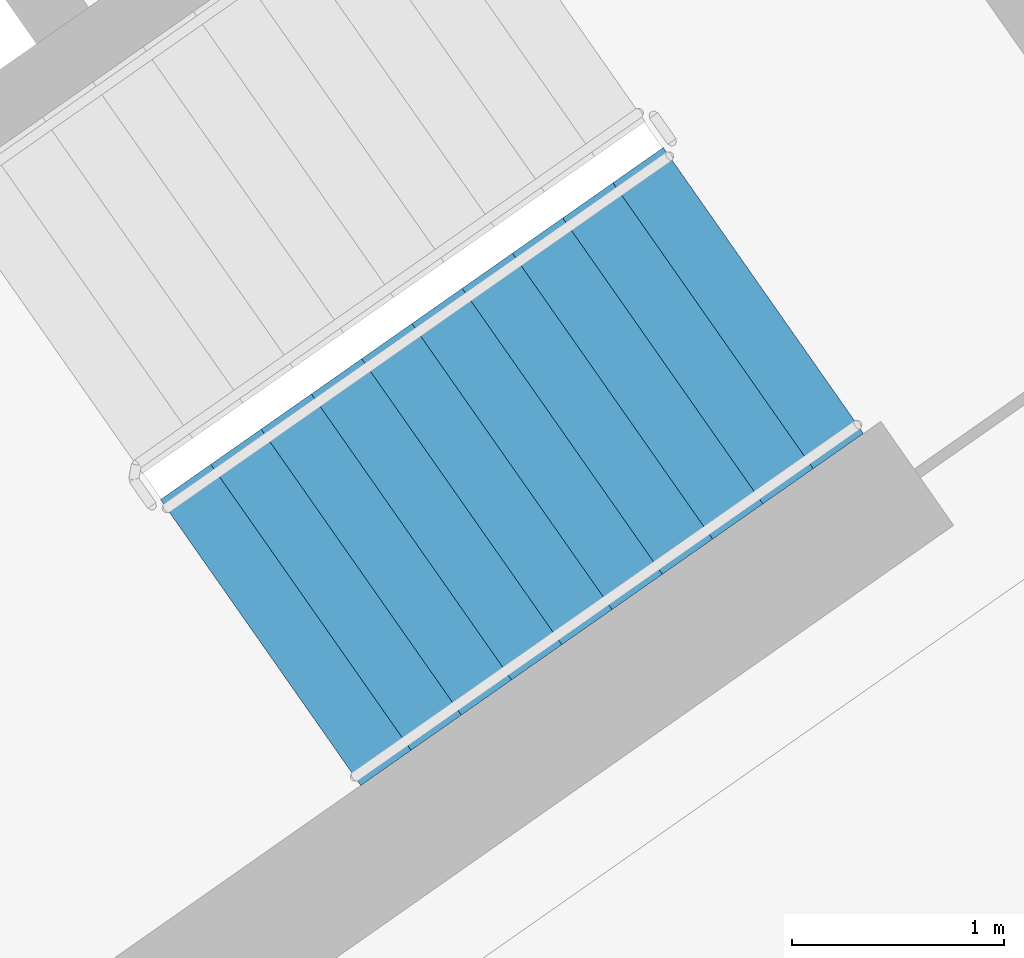
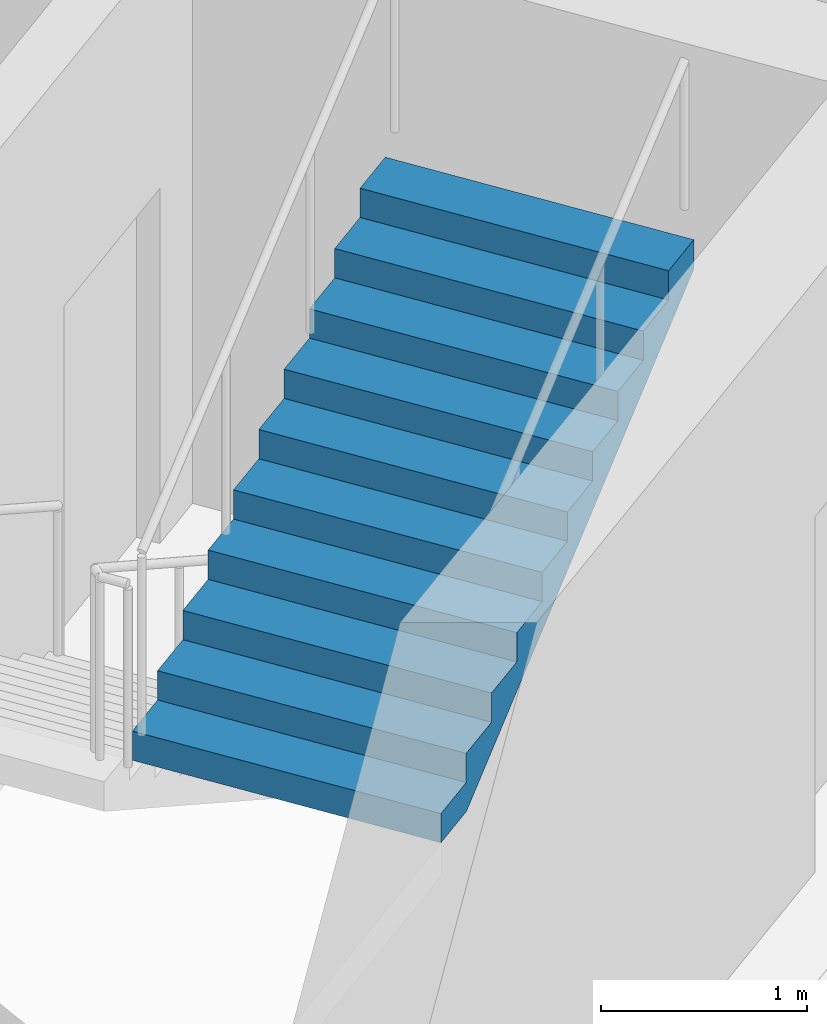
# One storey, part 13 of 27: 1 stair flight, 1 element without a shape of its own.
"""IFC4 building model written with IfcOpenShell, lengths in metres."""

from ifc_helpers import new_model, si_unit, direction, frame, origin, place, context, subcontext, project, spatial, faceted_brep, material, type_object, element, aggregate, save


model = new_model("IFC4")

# Units and contexts
model_context = context("Model", 3, precision=1e-05, world=origin(), true_north=direction((0.0, 1.0)))
body_context = subcontext(model_context, "Body", "Model", "MODEL_VIEW")
ifc_project = project(units=[si_unit("LENGTHUNIT", "METRE"), si_unit("AREAUNIT", "SQUARE_METRE"), si_unit("VOLUMEUNIT", "CUBIC_METRE"), si_unit("PLANEANGLEUNIT", "RADIAN"), si_unit("MASSUNIT", "GRAM", prefix="KILO")], contexts=[model_context])

# Site, building, storey
site_placement = place(None, origin())
site = spatial("IfcSite", under=ifc_project, at=site_placement, CompositionType="ELEMENT")
building_placement = place(site_placement, origin())
building = spatial("IfcBuilding", under=site, at=building_placement, Name="Qamariyya Broadcast Tower", CompositionType="ELEMENT")
storey_placement = place(building_placement, frame((0.0, 0.0, 191.10009765625)))
storey = spatial("IfcBuildingStorey", under=building, at=storey_placement, Name="L45", CompositionType="ELEMENT", Elevation=191.10009765625)

# Stair, stair flight
ifc_material = material(Name="Concrete C50/60", Category="concrete")
stair_type = type_object("IfcStairType", Name="Exit stair 22 risers of 173 mm", PredefinedType="HALF_TURN_STAIR", material=ifc_material)
stair_placement = place(storey_placement, origin())
stair = element("IfcStair", 1, at=stair_placement, inside=storey, type_object=stair_type, Name="L45 Stair E1", PredefinedType="HALF_TURN_STAIR")
stair_flight_type = type_object("IfcStairFlightType", Name="Exit stair flight 11 risers of 173 mm", PredefinedType="STRAIGHT", material=ifc_material)
stair_flight_placement = place(storey_placement, frame((44.693359375, -58.64599609375, 1.89990234375), z_axis=(0.0, 0.0, 1.0), x_axis=(0.819152044289, 0.573576436351, 0.0)))
stair_flight = element("IfcStairFlight", 2, at=stair_flight_placement, type_object=stair_flight_type, Name="ST-E1 flight 2", NumberOfRisers=11, NumberOfTreads=10, PredefinedType="STRAIGHT", RiserHeight=0.172727273, TreadLength=0.29, context=body_context, shape_type="Brep", body=[
    faceted_brep([(0.0, 0.824951171875, 0.0), (0.0, 0.824951171875, 0.172607421875), (0.2900390625, 0.824951171875, 0.172607421875), (0.2900390625, 0.824951171875, 0.345458984375), (0.580078125, 0.824951171875, 0.345458984375), (0.580078125, 0.824951171875, 0.51806640625), (0.8701171875, 0.824951171875, 0.51806640625), (0.8701171875, 0.824951171875, 0.69091796875), (1.159912109375, 0.824951171875, 0.69091796875), (1.159912109375, 0.824951171875, 0.863525390625), (1.449951171875, 0.824951171875, 0.863525390625), (1.449951171875, 0.824951171875, 1.036376953125), (1.739990234375, 0.824951171875, 1.036376953125), (1.739990234375, 0.824951171875, 1.208984375), (2.030029296875, 0.824951171875, 1.208984375), (2.030029296875, 0.824951171875, 1.3818359375), (2.320068359375, 0.824951171875, 1.3818359375), (2.320068359375, 0.824951171875, 1.554443359375), (2.610107421875, 0.824951171875, 1.554443359375), (2.610107421875, 0.824951171875, 1.727294921875), (2.89990234375, 0.824951171875, 1.727294921875), (2.89990234375, 0.824951171875, 1.552734375), (0.29296875, 0.824951171875, 0.0), (0.29296875, -0.824951171875, 0.0), (2.89990234375, -0.824951171875, 1.552734375), (2.89990234375, -0.824951171875, 1.727294921875), (2.610107421875, -0.824951171875, 1.727294921875), (2.610107421875, -0.824951171875, 1.554443359375), (2.320068359375, -0.824951171875, 1.554443359375), (2.320068359375, -0.824951171875, 1.3818359375), (2.030029296875, -0.824951171875, 1.3818359375), (2.030029296875, -0.824951171875, 1.208984375), (1.739990234375, -0.824951171875, 1.208984375), (1.739990234375, -0.824951171875, 1.036376953125), (1.449951171875, -0.824951171875, 1.036376953125), (1.449951171875, -0.824951171875, 0.863525390625), (1.159912109375, -0.824951171875, 0.863525390625), (1.159912109375, -0.824951171875, 0.69091796875), (0.8701171875, -0.824951171875, 0.69091796875), (0.8701171875, -0.824951171875, 0.51806640625), (0.580078125, -0.824951171875, 0.51806640625), (0.580078125, -0.824951171875, 0.345458984375), (0.2900390625, -0.824951171875, 0.345458984375), (0.2900390625, -0.824951171875, 0.172607421875), (0.0, -0.824951171875, 0.172607421875), (0.0, -0.824951171875, 0.0), (0.0, 0.10009765625, 0.0), (0.0, 0.086669921875, 0.0), (0.0, 0.0732421875, 0.0), (0.0, 0.06005859375, 0.0), (0.0, 0.046630859375, 0.0), (0.0, 0.033447265625, 0.0), (0.0, 0.02001953125, 0.0), (0.0, 0.006591796875, 0.0), (0.0, -0.006591796875, 0.0), (0.0, -0.02001953125, 0.0), (0.0, -0.033447265625, 0.0), (0.0, -0.046630859375, 0.0), (0.0, -0.06005859375, 0.0), (0.0, -0.0732421875, 0.0), (0.0, -0.086669921875, 0.0), (0.0, -0.10009765625, 0.0), (0.0, -0.10009765625, 0.172607421875), (0.0, -0.086669921875, 0.172607421875), (0.0, -0.0732421875, 0.172607421875), (0.0, -0.06005859375, 0.172607421875), (0.0, -0.046630859375, 0.172607421875), (0.0, -0.033447265625, 0.172607421875), (0.0, -0.02001953125, 0.172607421875), (0.0, -0.006591796875, 0.172607421875), (0.0, 0.006591796875, 0.172607421875), (0.0, 0.02001953125, 0.172607421875), (0.0, 0.033447265625, 0.172607421875), (0.0, 0.046630859375, 0.172607421875), (0.0, 0.06005859375, 0.172607421875), (0.0, 0.0732421875, 0.172607421875), (0.0, 0.086669921875, 0.172607421875), (0.0, 0.10009765625, 0.172607421875), (0.2900390625, -0.10009765625, 0.172607421875), (0.2900390625, -0.086669921875, 0.172607421875), (0.2900390625, -0.0732421875, 0.172607421875), (0.2900390625, -0.06005859375, 0.172607421875), (0.2900390625, -0.046630859375, 0.172607421875), (0.2900390625, -0.033447265625, 0.172607421875), (0.2900390625, -0.02001953125, 0.172607421875), (0.2900390625, -0.006591796875, 0.172607421875), (0.2900390625, 0.006591796875, 0.172607421875), (0.2900390625, 0.02001953125, 0.172607421875), (0.2900390625, 0.033447265625, 0.172607421875), (0.2900390625, 0.046630859375, 0.172607421875), (0.2900390625, 0.06005859375, 0.172607421875), (0.2900390625, 0.0732421875, 0.172607421875), (0.2900390625, 0.086669921875, 0.172607421875), (0.2900390625, 0.10009765625, 0.172607421875), (0.2900390625, -0.10009765625, 0.345458984375), (0.2900390625, -0.086669921875, 0.345458984375), (0.2900390625, -0.0732421875, 0.345458984375), (0.2900390625, -0.06005859375, 0.345458984375), (0.2900390625, -0.046630859375, 0.345458984375), (0.2900390625, -0.033447265625, 0.345458984375), (0.2900390625, -0.02001953125, 0.345458984375), (0.2900390625, -0.006591796875, 0.345458984375), (0.2900390625, 0.006591796875, 0.345458984375), (0.2900390625, 0.02001953125, 0.345458984375), (0.2900390625, 0.033447265625, 0.345458984375), (0.2900390625, 0.046630859375, 0.345458984375), (0.2900390625, 0.06005859375, 0.345458984375), (0.2900390625, 0.0732421875, 0.345458984375), (0.2900390625, 0.086669921875, 0.345458984375), (0.2900390625, 0.10009765625, 0.345458984375), (0.580078125, -0.10009765625, 0.345458984375), (0.580078125, -0.086669921875, 0.345458984375), (0.580078125, -0.0732421875, 0.345458984375), (0.580078125, -0.06005859375, 0.345458984375), (0.580078125, -0.046630859375, 0.345458984375), (0.580078125, -0.033447265625, 0.345458984375), (0.580078125, -0.02001953125, 0.345458984375), (0.580078125, -0.006591796875, 0.345458984375), (0.580078125, 0.006591796875, 0.345458984375), (0.580078125, 0.02001953125, 0.345458984375), (0.580078125, 0.033447265625, 0.345458984375), (0.580078125, 0.046630859375, 0.345458984375), (0.580078125, 0.06005859375, 0.345458984375), (0.580078125, 0.0732421875, 0.345458984375), (0.580078125, 0.086669921875, 0.345458984375), (0.580078125, 0.10009765625, 0.345458984375), (0.580078125, -0.10009765625, 0.51806640625), (0.580078125, -0.086669921875, 0.51806640625), (0.580078125, -0.0732421875, 0.51806640625), (0.580078125, -0.06005859375, 0.51806640625), (0.580078125, -0.046630859375, 0.51806640625), (0.580078125, -0.033447265625, 0.51806640625), (0.580078125, -0.02001953125, 0.51806640625), (0.580078125, -0.006591796875, 0.51806640625), (0.580078125, 0.006591796875, 0.51806640625), (0.580078125, 0.02001953125, 0.51806640625), (0.580078125, 0.033447265625, 0.51806640625), (0.580078125, 0.046630859375, 0.51806640625), (0.580078125, 0.06005859375, 0.51806640625), (0.580078125, 0.0732421875, 0.51806640625), (0.580078125, 0.086669921875, 0.51806640625), (0.580078125, 0.10009765625, 0.51806640625), (0.8701171875, -0.10009765625, 0.51806640625), (0.8701171875, -0.086669921875, 0.51806640625), (0.8701171875, -0.0732421875, 0.51806640625), (0.8701171875, -0.06005859375, 0.51806640625), (0.8701171875, -0.046630859375, 0.51806640625), (0.8701171875, -0.033447265625, 0.51806640625), (0.8701171875, -0.02001953125, 0.51806640625), (0.8701171875, -0.006591796875, 0.51806640625), (0.8701171875, 0.006591796875, 0.51806640625), (0.8701171875, 0.02001953125, 0.51806640625), (0.8701171875, 0.033447265625, 0.51806640625), (0.8701171875, 0.046630859375, 0.51806640625), (0.8701171875, 0.06005859375, 0.51806640625), (0.8701171875, 0.0732421875, 0.51806640625), (0.8701171875, 0.086669921875, 0.51806640625), (0.8701171875, 0.10009765625, 0.51806640625), (0.8701171875, -0.10009765625, 0.69091796875), (0.8701171875, -0.086669921875, 0.69091796875), (0.8701171875, -0.0732421875, 0.69091796875), (0.8701171875, -0.06005859375, 0.69091796875), (0.8701171875, -0.046630859375, 0.69091796875), (0.8701171875, -0.033447265625, 0.69091796875), (0.8701171875, -0.02001953125, 0.69091796875), (0.8701171875, -0.006591796875, 0.69091796875), (0.8701171875, 0.006591796875, 0.69091796875), (0.8701171875, 0.02001953125, 0.69091796875), (0.8701171875, 0.033447265625, 0.69091796875), (0.8701171875, 0.046630859375, 0.69091796875), (0.8701171875, 0.06005859375, 0.69091796875), (0.8701171875, 0.0732421875, 0.69091796875), (0.8701171875, 0.086669921875, 0.69091796875), (0.8701171875, 0.10009765625, 0.69091796875), (1.159912109375, -0.10009765625, 0.69091796875), (1.159912109375, -0.086669921875, 0.69091796875), (1.159912109375, -0.0732421875, 0.69091796875), (1.159912109375, -0.06005859375, 0.69091796875), (1.159912109375, -0.046630859375, 0.69091796875), (1.159912109375, -0.033447265625, 0.69091796875), (1.159912109375, -0.02001953125, 0.69091796875), (1.159912109375, -0.006591796875, 0.69091796875), (1.159912109375, 0.006591796875, 0.69091796875), (1.159912109375, 0.02001953125, 0.69091796875), (1.159912109375, 0.033447265625, 0.69091796875), (1.159912109375, 0.046630859375, 0.69091796875), (1.159912109375, 0.06005859375, 0.69091796875), (1.159912109375, 0.0732421875, 0.69091796875), (1.159912109375, 0.086669921875, 0.69091796875), (1.159912109375, 0.10009765625, 0.69091796875), (1.159912109375, -0.10009765625, 0.863525390625), (1.159912109375, -0.086669921875, 0.863525390625), (1.159912109375, -0.0732421875, 0.863525390625), (1.159912109375, -0.06005859375, 0.863525390625), (1.159912109375, -0.046630859375, 0.863525390625), (1.159912109375, -0.033447265625, 0.863525390625), (1.159912109375, -0.02001953125, 0.863525390625), (1.159912109375, -0.006591796875, 0.863525390625), (1.159912109375, 0.006591796875, 0.863525390625), (1.159912109375, 0.02001953125, 0.863525390625), (1.159912109375, 0.033447265625, 0.863525390625), (1.159912109375, 0.046630859375, 0.863525390625), (1.159912109375, 0.06005859375, 0.863525390625), (1.159912109375, 0.0732421875, 0.863525390625), (1.159912109375, 0.086669921875, 0.863525390625), (1.159912109375, 0.10009765625, 0.863525390625), (1.449951171875, -0.10009765625, 0.863525390625), (1.449951171875, -0.086669921875, 0.863525390625), (1.449951171875, -0.0732421875, 0.863525390625), (1.449951171875, -0.06005859375, 0.863525390625), (1.449951171875, -0.046630859375, 0.863525390625), (1.449951171875, -0.033447265625, 0.863525390625), (1.449951171875, -0.02001953125, 0.863525390625), (1.449951171875, -0.006591796875, 0.863525390625), (1.449951171875, 0.006591796875, 0.863525390625), (1.449951171875, 0.02001953125, 0.863525390625), (1.449951171875, 0.033447265625, 0.863525390625), (1.449951171875, 0.046630859375, 0.863525390625), (1.449951171875, 0.06005859375, 0.863525390625), (1.449951171875, 0.0732421875, 0.863525390625), (1.449951171875, 0.086669921875, 0.863525390625), (1.449951171875, 0.10009765625, 0.863525390625), (1.449951171875, -0.10009765625, 1.036376953125), (1.449951171875, -0.086669921875, 1.036376953125), (1.449951171875, -0.0732421875, 1.036376953125), (1.449951171875, -0.06005859375, 1.036376953125), (1.449951171875, -0.046630859375, 1.036376953125), (1.449951171875, -0.033447265625, 1.036376953125), (1.449951171875, -0.02001953125, 1.036376953125), (1.449951171875, -0.006591796875, 1.036376953125), (1.449951171875, 0.006591796875, 1.036376953125), (1.449951171875, 0.02001953125, 1.036376953125), (1.449951171875, 0.033447265625, 1.036376953125), (1.449951171875, 0.046630859375, 1.036376953125), (1.449951171875, 0.06005859375, 1.036376953125), (1.449951171875, 0.0732421875, 1.036376953125), (1.449951171875, 0.086669921875, 1.036376953125), (1.449951171875, 0.10009765625, 1.036376953125), (1.739990234375, -0.10009765625, 1.036376953125), (1.739990234375, -0.086669921875, 1.036376953125), (1.739990234375, -0.0732421875, 1.036376953125), (1.739990234375, -0.06005859375, 1.036376953125), (1.739990234375, -0.046630859375, 1.036376953125), (1.739990234375, -0.033447265625, 1.036376953125), (1.739990234375, -0.02001953125, 1.036376953125), (1.739990234375, -0.006591796875, 1.036376953125), (1.739990234375, 0.006591796875, 1.036376953125), (1.739990234375, 0.02001953125, 1.036376953125), (1.739990234375, 0.033447265625, 1.036376953125), (1.739990234375, 0.046630859375, 1.036376953125), (1.739990234375, 0.06005859375, 1.036376953125), (1.739990234375, 0.0732421875, 1.036376953125), (1.739990234375, 0.086669921875, 1.036376953125), (1.739990234375, 0.10009765625, 1.036376953125), (1.739990234375, -0.10009765625, 1.208984375), (1.739990234375, -0.086669921875, 1.208984375), (1.739990234375, -0.0732421875, 1.208984375), (1.739990234375, -0.06005859375, 1.208984375), (1.739990234375, -0.046630859375, 1.208984375), (1.739990234375, -0.033447265625, 1.208984375), (1.739990234375, -0.02001953125, 1.208984375), (1.739990234375, -0.006591796875, 1.208984375), (1.739990234375, 0.006591796875, 1.208984375), (1.739990234375, 0.02001953125, 1.208984375), (1.739990234375, 0.033447265625, 1.208984375), (1.739990234375, 0.046630859375, 1.208984375), (1.739990234375, 0.06005859375, 1.208984375), (1.739990234375, 0.0732421875, 1.208984375), (1.739990234375, 0.086669921875, 1.208984375), (1.739990234375, 0.10009765625, 1.208984375), (2.030029296875, -0.10009765625, 1.208984375), (2.030029296875, -0.086669921875, 1.208984375), (2.030029296875, -0.0732421875, 1.208984375), (2.030029296875, -0.06005859375, 1.208984375), (2.030029296875, -0.046630859375, 1.208984375), (2.030029296875, -0.033447265625, 1.208984375), (2.030029296875, -0.02001953125, 1.208984375), (2.030029296875, -0.006591796875, 1.208984375), (2.030029296875, 0.006591796875, 1.208984375), (2.030029296875, 0.02001953125, 1.208984375), (2.030029296875, 0.033447265625, 1.208984375), (2.030029296875, 0.046630859375, 1.208984375), (2.030029296875, 0.06005859375, 1.208984375), (2.030029296875, 0.0732421875, 1.208984375), (2.030029296875, 0.086669921875, 1.208984375), (2.030029296875, 0.10009765625, 1.208984375), (2.030029296875, -0.10009765625, 1.3818359375), (2.030029296875, -0.086669921875, 1.3818359375), (2.030029296875, -0.0732421875, 1.3818359375), (2.030029296875, -0.06005859375, 1.3818359375), (2.030029296875, -0.046630859375, 1.3818359375), (2.030029296875, -0.033447265625, 1.3818359375), (2.030029296875, -0.02001953125, 1.3818359375), (2.030029296875, -0.006591796875, 1.3818359375), (2.030029296875, 0.006591796875, 1.3818359375), (2.030029296875, 0.02001953125, 1.3818359375), (2.030029296875, 0.033447265625, 1.3818359375), (2.030029296875, 0.046630859375, 1.3818359375), (2.030029296875, 0.06005859375, 1.3818359375), (2.030029296875, 0.0732421875, 1.3818359375), (2.030029296875, 0.086669921875, 1.3818359375), (2.030029296875, 0.10009765625, 1.3818359375), (2.320068359375, -0.10009765625, 1.3818359375), (2.320068359375, -0.086669921875, 1.3818359375), (2.320068359375, -0.0732421875, 1.3818359375), (2.320068359375, -0.06005859375, 1.3818359375), (2.320068359375, -0.046630859375, 1.3818359375), (2.320068359375, -0.033447265625, 1.3818359375), (2.320068359375, -0.02001953125, 1.3818359375), (2.320068359375, -0.006591796875, 1.3818359375), (2.320068359375, 0.006591796875, 1.3818359375), (2.320068359375, 0.02001953125, 1.3818359375), (2.320068359375, 0.033447265625, 1.3818359375), (2.320068359375, 0.046630859375, 1.3818359375), (2.320068359375, 0.06005859375, 1.3818359375), (2.320068359375, 0.0732421875, 1.3818359375), (2.320068359375, 0.086669921875, 1.3818359375), (2.320068359375, 0.10009765625, 1.3818359375), (2.320068359375, -0.10009765625, 1.554443359375), (2.320068359375, -0.086669921875, 1.554443359375), (2.320068359375, -0.0732421875, 1.554443359375), (2.320068359375, -0.06005859375, 1.554443359375), (2.320068359375, -0.046630859375, 1.554443359375), (2.320068359375, -0.033447265625, 1.554443359375), (2.320068359375, -0.02001953125, 1.554443359375), (2.320068359375, -0.006591796875, 1.554443359375), (2.320068359375, 0.006591796875, 1.554443359375), (2.320068359375, 0.02001953125, 1.554443359375), (2.320068359375, 0.033447265625, 1.554443359375), (2.320068359375, 0.046630859375, 1.554443359375), (2.320068359375, 0.06005859375, 1.554443359375), (2.320068359375, 0.0732421875, 1.554443359375), (2.320068359375, 0.086669921875, 1.554443359375), (2.320068359375, 0.10009765625, 1.554443359375), (2.610107421875, -0.10009765625, 1.554443359375), (2.610107421875, -0.086669921875, 1.554443359375), (2.610107421875, -0.0732421875, 1.554443359375), (2.610107421875, -0.06005859375, 1.554443359375), (2.610107421875, -0.046630859375, 1.554443359375), (2.610107421875, -0.033447265625, 1.554443359375), (2.610107421875, -0.02001953125, 1.554443359375), (2.610107421875, -0.006591796875, 1.554443359375), (2.610107421875, 0.006591796875, 1.554443359375), (2.610107421875, 0.02001953125, 1.554443359375), (2.610107421875, 0.033447265625, 1.554443359375), (2.610107421875, 0.046630859375, 1.554443359375), (2.610107421875, 0.06005859375, 1.554443359375), (2.610107421875, 0.0732421875, 1.554443359375), (2.610107421875, 0.086669921875, 1.554443359375), (2.610107421875, 0.10009765625, 1.554443359375), (2.610107421875, -0.10009765625, 1.727294921875), (2.610107421875, -0.086669921875, 1.727294921875), (2.610107421875, -0.0732421875, 1.727294921875), (2.610107421875, -0.06005859375, 1.727294921875), (2.610107421875, -0.046630859375, 1.727294921875), (2.610107421875, -0.033447265625, 1.727294921875), (2.610107421875, -0.02001953125, 1.727294921875), (2.610107421875, -0.006591796875, 1.727294921875), (2.610107421875, 0.006591796875, 1.727294921875), (2.610107421875, 0.02001953125, 1.727294921875), (2.610107421875, 0.033447265625, 1.727294921875), (2.610107421875, 0.046630859375, 1.727294921875), (2.610107421875, 0.06005859375, 1.727294921875), (2.610107421875, 0.0732421875, 1.727294921875), (2.610107421875, 0.086669921875, 1.727294921875), (2.610107421875, 0.10009765625, 1.727294921875), (2.89990234375, -0.10009765625, 1.727294921875), (2.89990234375, -0.086669921875, 1.727294921875), (2.89990234375, -0.0732421875, 1.727294921875), (2.89990234375, -0.06005859375, 1.727294921875), (2.89990234375, -0.046630859375, 1.727294921875), (2.89990234375, -0.033447265625, 1.727294921875), (2.89990234375, -0.02001953125, 1.727294921875), (2.89990234375, -0.006591796875, 1.727294921875), (2.89990234375, 0.006591796875, 1.727294921875), (2.89990234375, 0.02001953125, 1.727294921875), (2.89990234375, 0.033447265625, 1.727294921875), (2.89990234375, 0.046630859375, 1.727294921875), (2.89990234375, 0.06005859375, 1.727294921875), (2.89990234375, 0.0732421875, 1.727294921875), (2.89990234375, 0.086669921875, 1.727294921875), (2.89990234375, 0.10009765625, 1.727294921875), (2.89990234375, -0.10009765625, 1.552734375), (2.89990234375, -0.086669921875, 1.552734375), (2.89990234375, -0.0732421875, 1.552734375), (2.89990234375, -0.06005859375, 1.552734375), (2.89990234375, -0.046630859375, 1.552734375), (2.89990234375, -0.033447265625, 1.552734375), (2.89990234375, -0.02001953125, 1.552734375), (2.89990234375, -0.006591796875, 1.552734375), (2.89990234375, 0.006591796875, 1.552734375), (2.89990234375, 0.02001953125, 1.552734375), (2.89990234375, 0.033447265625, 1.552734375), (2.89990234375, 0.046630859375, 1.552734375), (2.89990234375, 0.06005859375, 1.552734375), (2.89990234375, 0.0732421875, 1.552734375), (2.89990234375, 0.086669921875, 1.552734375), (2.89990234375, 0.10009765625, 1.552734375), (0.29296875, -0.10009765625, 0.0), (0.29296875, -0.086669921875, 0.0), (0.29296875, -0.0732421875, 0.0), (0.29296875, -0.06005859375, 0.0), (0.29296875, -0.046630859375, 0.0), (0.29296875, -0.033447265625, 0.0), (0.29296875, -0.02001953125, 0.0), (0.29296875, -0.006591796875, 0.0), (0.29296875, 0.006591796875, 0.0), (0.29296875, 0.02001953125, 0.0), (0.29296875, 0.033447265625, 0.0), (0.29296875, 0.046630859375, 0.0), (0.29296875, 0.06005859375, 0.0), (0.29296875, 0.0732421875, 0.0), (0.29296875, 0.086669921875, 0.0), (0.29296875, 0.10009765625, 0.0)], [[[0, 1, 2, 3, 4, 5, 6, 7, 8, 9, 10, 11, 12, 13, 14, 15, 16, 17, 18, 19, 20, 21, 22]], [[23, 24, 25, 26, 27, 28, 29, 30, 31, 32, 33, 34, 35, 36, 37, 38, 39, 40, 41, 42, 43, 44, 45]], [[0, 46, 47, 48, 49, 50, 51, 52, 53, 54, 55, 56, 57, 58, 59, 60, 61, 45, 44, 62, 63, 64, 65, 66, 67, 68, 69, 70, 71, 72, 73, 74, 75, 76, 77, 1]], [[1, 77, 76, 75, 74, 73, 72, 71, 70, 69, 68, 67, 66, 65, 64, 63, 62, 44, 43, 78, 79, 80, 81, 82, 83, 84, 85, 86, 87, 88, 89, 90, 91, 92, 93, 2]], [[2, 93, 92, 91, 90, 89, 88, 87, 86, 85, 84, 83, 82, 81, 80, 79, 78, 43, 42, 94, 95, 96, 97, 98, 99, 100, 101, 102, 103, 104, 105, 106, 107, 108, 109, 3]], [[3, 109, 108, 107, 106, 105, 104, 103, 102, 101, 100, 99, 98, 97, 96, 95, 94, 42, 41, 110, 111, 112, 113, 114, 115, 116, 117, 118, 119, 120, 121, 122, 123, 124, 125, 4]], [[4, 125, 124, 123, 122, 121, 120, 119, 118, 117, 116, 115, 114, 113, 112, 111, 110, 41, 40, 126, 127, 128, 129, 130, 131, 132, 133, 134, 135, 136, 137, 138, 139, 140, 141, 5]], [[5, 141, 140, 139, 138, 137, 136, 135, 134, 133, 132, 131, 130, 129, 128, 127, 126, 40, 39, 142, 143, 144, 145, 146, 147, 148, 149, 150, 151, 152, 153, 154, 155, 156, 157, 6]], [[6, 157, 156, 155, 154, 153, 152, 151, 150, 149, 148, 147, 146, 145, 144, 143, 142, 39, 38, 158, 159, 160, 161, 162, 163, 164, 165, 166, 167, 168, 169, 170, 171, 172, 173, 7]], [[7, 173, 172, 171, 170, 169, 168, 167, 166, 165, 164, 163, 162, 161, 160, 159, 158, 38, 37, 174, 175, 176, 177, 178, 179, 180, 181, 182, 183, 184, 185, 186, 187, 188, 189, 8]], [[8, 189, 188, 187, 186, 185, 184, 183, 182, 181, 180, 179, 178, 177, 176, 175, 174, 37, 36, 190, 191, 192, 193, 194, 195, 196, 197, 198, 199, 200, 201, 202, 203, 204, 205, 9]], [[9, 205, 204, 203, 202, 201, 200, 199, 198, 197, 196, 195, 194, 193, 192, 191, 190, 36, 35, 206, 207, 208, 209, 210, 211, 212, 213, 214, 215, 216, 217, 218, 219, 220, 221, 10]], [[10, 221, 220, 219, 218, 217, 216, 215, 214, 213, 212, 211, 210, 209, 208, 207, 206, 35, 34, 222, 223, 224, 225, 226, 227, 228, 229, 230, 231, 232, 233, 234, 235, 236, 237, 11]], [[11, 237, 236, 235, 234, 233, 232, 231, 230, 229, 228, 227, 226, 225, 224, 223, 222, 34, 33, 238, 239, 240, 241, 242, 243, 244, 245, 246, 247, 248, 249, 250, 251, 252, 253, 12]], [[12, 253, 252, 251, 250, 249, 248, 247, 246, 245, 244, 243, 242, 241, 240, 239, 238, 33, 32, 254, 255, 256, 257, 258, 259, 260, 261, 262, 263, 264, 265, 266, 267, 268, 269, 13]], [[13, 269, 268, 267, 266, 265, 264, 263, 262, 261, 260, 259, 258, 257, 256, 255, 254, 32, 31, 270, 271, 272, 273, 274, 275, 276, 277, 278, 279, 280, 281, 282, 283, 284, 285, 14]], [[14, 285, 284, 283, 282, 281, 280, 279, 278, 277, 276, 275, 274, 273, 272, 271, 270, 31, 30, 286, 287, 288, 289, 290, 291, 292, 293, 294, 295, 296, 297, 298, 299, 300, 301, 15]], [[15, 301, 300, 299, 298, 297, 296, 295, 294, 293, 292, 291, 290, 289, 288, 287, 286, 30, 29, 302, 303, 304, 305, 306, 307, 308, 309, 310, 311, 312, 313, 314, 315, 316, 317, 16]], [[16, 317, 316, 315, 314, 313, 312, 311, 310, 309, 308, 307, 306, 305, 304, 303, 302, 29, 28, 318, 319, 320, 321, 322, 323, 324, 325, 326, 327, 328, 329, 330, 331, 332, 333, 17]], [[17, 333, 332, 331, 330, 329, 328, 327, 326, 325, 324, 323, 322, 321, 320, 319, 318, 28, 27, 334, 335, 336, 337, 338, 339, 340, 341, 342, 343, 344, 345, 346, 347, 348, 349, 18]], [[18, 349, 348, 347, 346, 345, 344, 343, 342, 341, 340, 339, 338, 337, 336, 335, 334, 27, 26, 350, 351, 352, 353, 354, 355, 356, 357, 358, 359, 360, 361, 362, 363, 364, 365, 19]], [[19, 365, 364, 363, 362, 361, 360, 359, 358, 357, 356, 355, 354, 353, 352, 351, 350, 26, 25, 366, 367, 368, 369, 370, 371, 372, 373, 374, 375, 376, 377, 378, 379, 380, 381, 20]], [[20, 381, 380, 379, 378, 377, 376, 375, 374, 373, 372, 371, 370, 369, 368, 367, 366, 25, 24, 382, 383, 384, 385, 386, 387, 388, 389, 390, 391, 392, 393, 394, 395, 396, 397, 21]], [[21, 397, 396, 395, 394, 393, 392, 391, 390, 389, 388, 387, 386, 385, 384, 383, 382, 24, 23, 398, 399, 400, 401, 402, 403, 404, 405, 406, 407, 408, 409, 410, 411, 412, 413, 22]], [[22, 413, 412, 411, 410, 409, 408, 407, 406, 405, 404, 403, 402, 401, 400, 399, 398, 23, 45, 61, 60, 59, 58, 57, 56, 55, 54, 53, 52, 51, 50, 49, 48, 47, 46, 0]]]),
])
aggregate(stair, [stair_flight])

save(model, "model.ifc")
